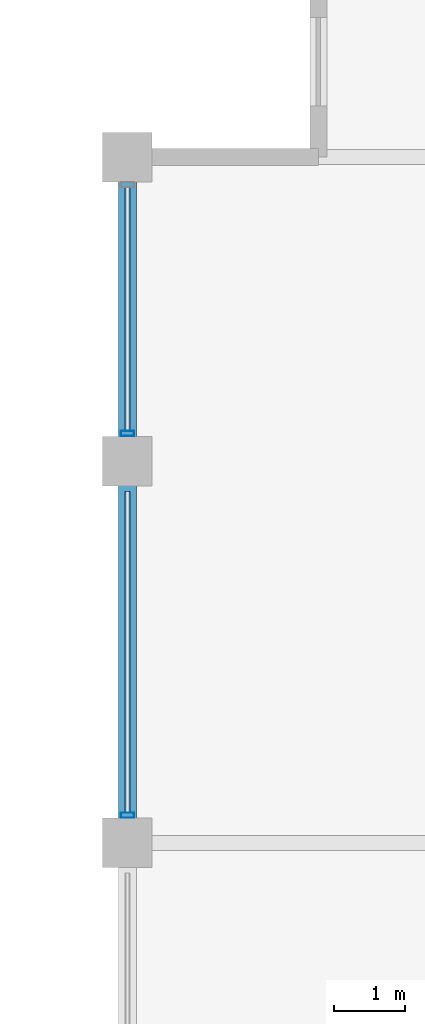
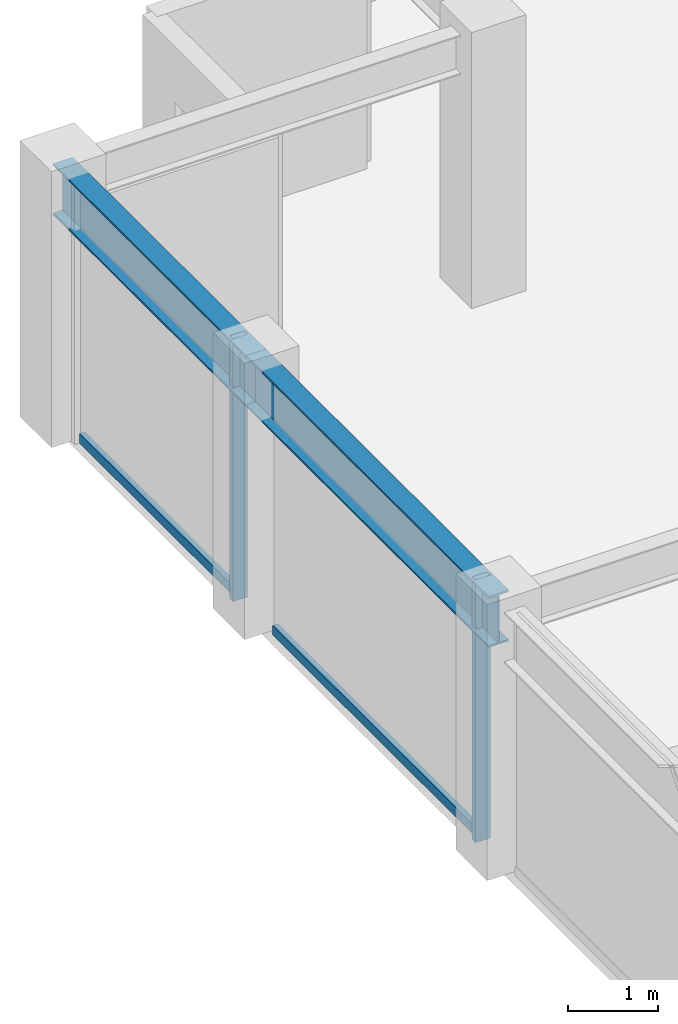
# One storey, part 13 of 30: 4 members, 2 beams, 1 element without a shape of its own.
"""IFC4 building model written with IfcOpenShell, lengths in metres."""

from ifc_helpers import new_model, si_unit, direction, frame, origin, origin_2d, place, context, subcontext, project, spatial, hollow_rectangle, i_section, extrude, material, layer, layer_set, material_profile, profile_set, type_object, element, aggregate, save


model = new_model("IFC4")

# Units and contexts
model_context = context("Model", 3, precision=1e-05, world=origin(), true_north=direction((0.0, 1.0)))
body_context = subcontext(model_context, "Body", "Model", "MODEL_VIEW")
ifc_project = project(units=[si_unit("LENGTHUNIT", "METRE"), si_unit("AREAUNIT", "SQUARE_METRE"), si_unit("VOLUMEUNIT", "CUBIC_METRE"), si_unit("PLANEANGLEUNIT", "RADIAN"), si_unit("MASSUNIT", "GRAM", prefix="KILO")], contexts=[model_context])

# Site, building, storey
site_placement = place(None, origin())
site = spatial("IfcSite", under=ifc_project, at=site_placement, CompositionType="ELEMENT")
building_placement = place(site_placement, origin())
building = spatial("IfcBuilding", under=site, at=building_placement, Name="Surkhivell Harbour Commons", CompositionType="ELEMENT")
storey_placement = place(building_placement, frame((0.0, 0.0, 307.5)))
storey = spatial("IfcBuildingStorey", under=building, at=storey_placement, Name="L80", CompositionType="ELEMENT", Elevation=307.5)

# Beams
ifc_material_1 = material(Name="Steel S355", Category="steel")
ifc_material_profile_1 = material_profile(ifc_material_1, i_section(OverallWidth=0.256103515625, OverallDepth=0.693115234375, WebThickness=0.014404296875, FlangeThickness=0.023681640625, at=origin_2d()), Name="UB686x254x170")
ifc_profile_set_1 = profile_set([ifc_material_profile_1], Name="Steel S355")
beam_type = type_object("IfcBeamType", Name="BM-SPN-686", PredefinedType="SPANDREL", material=ifc_profile_set_1)
beam_1_placement = place(storey_placement, frame((-27.0, 10.800048828125, 3.223388671875), z_axis=(0.0, 1.0, 0.0), x_axis=(-1.0, 0.0, 0.0)))
element("IfcBeam", 1, at=beam_1_placement, inside=storey, type_object=beam_type, Name="L80 Tube Spandrel (-27.0,10.8)", PredefinedType="SPANDREL", context=body_context, shape_type="SweptSolid", body=[
    extrude(i_section(OverallWidth=0.256103515625, OverallDepth=0.693115234375, WebThickness=0.014404296875, FlangeThickness=0.023681640625, at=origin_2d()), origin(), (0.0, 0.0, 1.0), 5.39990234375),
])
beam_2_placement = place(storey_placement, frame((-27.0, 16.199951171875, 3.223388671875), z_axis=(0.0, 1.0, 0.0), x_axis=(-1.0, 0.0, 0.0)))
element("IfcBeam", 2, at=beam_2_placement, inside=storey, type_object=beam_type, Name="L80 Tube Spandrel (-27.0,16.2)", PredefinedType="SPANDREL", context=body_context, shape_type="SweptSolid", body=[
    extrude(i_section(OverallWidth=0.256103515625, OverallDepth=0.693115234375, WebThickness=0.014404296875, FlangeThickness=0.023681640625, at=origin_2d()), origin(), (0.0, 0.0, 1.0), 4.300048828125),
])

# Curtain wall, members
ifc_material_2 = material(Name="Anodised pale-metal aluminium and insulated glazing", Category="aluminium")
ifc_layer = layer(ifc_material_2, 0.175048828125)
ifc_layer_set = layer_set([ifc_layer], Name="Anodised pale-metal aluminium and insulated glazing")
curtain_wall_type = type_object("IfcCurtainWallType", Name="CW-SYS-Z4", PredefinedType="NOTDEFINED", material=ifc_layer_set)
curtain_wall_placement = place(storey_placement, origin())
curtain_wall = element("IfcCurtainWall", 3, at=curtain_wall_placement, inside=storey, type_object=curtain_wall_type, Name="L80 Curtain Wall CW-L80-E12R2", PredefinedType="NOTDEFINED")
ifc_material_3 = material(Name="Anodised pale-metal aluminium alloy 6063-T6", Category="aluminium")
ifc_material_profile_2 = material_profile(ifc_material_3, hollow_rectangle(XDim=0.074951171875, YDim=0.18994140625, WallThickness=0.00390625, at=origin_2d()), Name="ALU-MULL-75x190")
ifc_profile_set_2 = profile_set([ifc_material_profile_2], Name="Anodised pale-metal aluminium alloy 6063-T6")
member_type_1 = type_object("IfcMemberType", Name="CWM-190", PredefinedType="MULLION", material=ifc_profile_set_2)
member_1_placement = place(storey_placement, frame((-27.0, 11.189453125, 0.0), z_axis=(0.0, 0.0, 1.0), x_axis=(0.0, 1.0, 0.0)))
member_1 = element("IfcMember", 4, at=member_1_placement, type_object=member_type_1, Name="CW-Z4 mullion 2", PredefinedType="MULLION", context=body_context, shape_type="SweptSolid", body=[
    extrude(hollow_rectangle(XDim=0.074951171875, YDim=0.18994140625, WallThickness=0.00390625, at=origin_2d()), origin(), (0.0, 0.0, 1.0), 3.570068359375),
])
member_2_placement = place(storey_placement, frame((-27.0, 16.589599609375, 0.0), z_axis=(0.0, 0.0, 1.0), x_axis=(0.0, 1.0, 0.0)))
member_2 = element("IfcMember", 5, at=member_2_placement, type_object=member_type_1, Name="CW-Z4 mullion 3", PredefinedType="MULLION", context=body_context, shape_type="SweptSolid", body=[
    extrude(hollow_rectangle(XDim=0.074951171875, YDim=0.18994140625, WallThickness=0.00390625, at=origin_2d()), origin(), (0.0, 0.0, 1.0), 3.570068359375),
])
ifc_material_4 = material(Name="Champagne anodised aluminium alloy 6063-T6", Category="aluminium")
ifc_material_profile_3 = material_profile(ifc_material_4, hollow_rectangle(XDim=0.070068359375, YDim=0.1298828125, WallThickness=0.00341796875, at=origin_2d()), Name="ALU-TRAN-70x130")
ifc_profile_set_3 = profile_set([ifc_material_profile_3], Name="Champagne anodised aluminium alloy 6063-T6")
member_type_2 = type_object("IfcMemberType", Name="CWT-130", PredefinedType="USERDEFINED", material=ifc_profile_set_3)
member_3_placement = place(storey_placement, frame((-27.0, 11.22705078125, 0.06494140625), z_axis=(0.0, 1.0, 0.0), x_axis=(-1.0, 0.0, 0.0)))
member_3 = element("IfcMember", 6, at=member_3_placement, type_object=member_type_2, Name="CW-Z4 transom 2.1", ObjectType="TRANSOM", PredefinedType="USERDEFINED", context=body_context, shape_type="SweptSolid", body=[
    extrude(hollow_rectangle(XDim=0.070068359375, YDim=0.1298828125, WallThickness=0.00341796875, at=origin_2d()), origin(), (0.0, 0.0, 1.0), 4.5458984375),
])
member_4_placement = place(storey_placement, frame((-27.0, 16.626953125, 0.06494140625), z_axis=(0.0, 1.0, 0.0), x_axis=(-1.0, 0.0, 0.0)))
member_4 = element("IfcMember", 7, at=member_4_placement, type_object=member_type_2, Name="CW-Z4 transom 3.1", ObjectType="TRANSOM", PredefinedType="USERDEFINED", context=body_context, shape_type="SweptSolid", body=[
    extrude(hollow_rectangle(XDim=0.070068359375, YDim=0.1298828125, WallThickness=0.00341796875, at=origin_2d()), origin(), (0.0, 0.0, 1.0), 3.446044921875),
])
aggregate(curtain_wall, [member_1, member_3, member_2, member_4])

save(model, "model.ifc")
